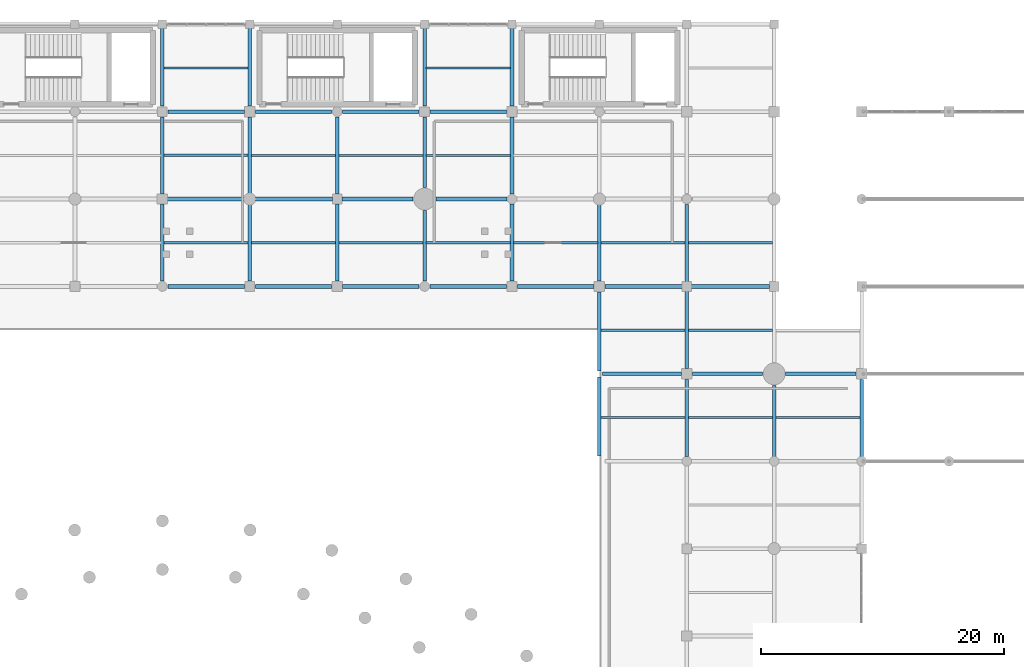
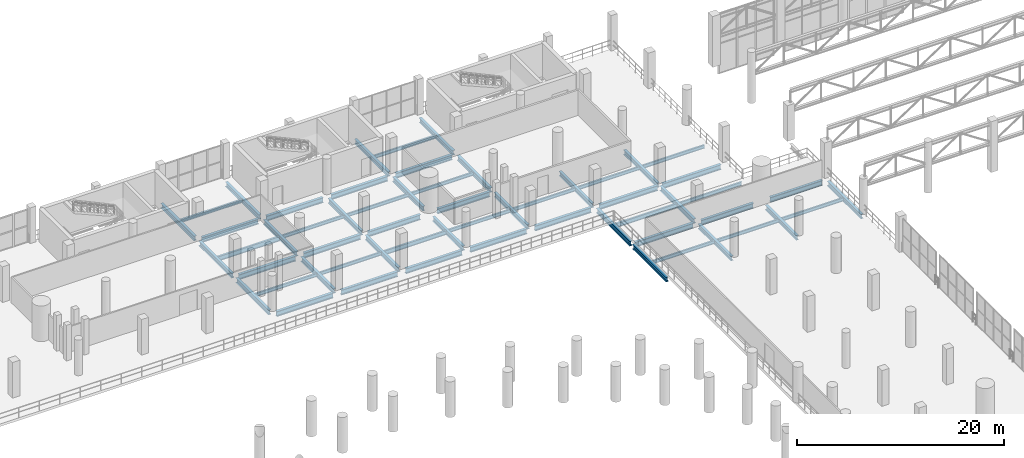
# One storey, part 58 of 153: 58 beams.
"""IFC4 building model written with IfcOpenShell, lengths in metres."""

from ifc_helpers import new_model, si_unit, direction, frame, origin, origin_2d, place, context, subcontext, project, spatial, i_section, extrude, material, material_profile, profile_set, type_object, element, save


model = new_model("IFC4")

# Units and contexts
model_context = context("Model", 3, precision=1e-05, world=origin(), true_north=direction((0.0, 1.0)))
body_context = subcontext(model_context, "Body", "Model", "MODEL_VIEW")
ifc_project = project(units=[si_unit("LENGTHUNIT", "METRE"), si_unit("AREAUNIT", "SQUARE_METRE"), si_unit("VOLUMEUNIT", "CUBIC_METRE"), si_unit("PLANEANGLEUNIT", "RADIAN"), si_unit("MASSUNIT", "GRAM", prefix="KILO")], contexts=[model_context])

# Site, building, storey
site_placement = place(None, origin())
site = spatial("IfcSite", under=ifc_project, at=site_placement, CompositionType="ELEMENT")
building_placement = place(site_placement, origin())
building = spatial("IfcBuilding", under=site, at=building_placement, Name="Qandorah Velis Arena", CompositionType="ELEMENT")
storey_placement = place(building_placement, frame((0.0, 0.0, 5.39990234375)))
storey = spatial("IfcBuildingStorey", under=building, at=storey_placement, Name="L01", CompositionType="ELEMENT", Elevation=5.39990234375)

# Beams
ifc_material = material(Name="Steel S355", Category="steel")
ifc_material_profile_1 = material_profile(ifc_material, i_section(OverallWidth=0.300048828125, OverallDepth=0.550048828125, WebThickness=0.014892578125, FlangeThickness=0.029052734375, FilletRadius=0.027099609375, at=origin_2d()), Name="HEB 550")
ifc_profile_set_1 = profile_set([ifc_material_profile_1], Name="Steel S355")
beam_type_1 = type_object("IfcBeamType", Name="STR-BM-HEB550", PredefinedType="BEAM", material=ifc_profile_set_1)
beam_1_placement = place(storey_placement, frame((64.800048828125, 108.449951171875, -0.635009765625), z_axis=(0.0, 1.0, 0.0), x_axis=(-1.0, 0.0, 0.0)))
element("IfcBeam", 1, at=beam_1_placement, inside=storey, type_object=beam_type_1, Name="Primary floor girder L01 Y-325", PredefinedType="BEAM", context=body_context, shape_type="SweptSolid", body=[
    extrude(i_section(OverallWidth=0.300048828125, OverallDepth=0.550048828125, WebThickness=0.014892578125, FlangeThickness=0.029052734375, FilletRadius=0.027099609375, at=origin_2d()), origin(), (0.0, 0.0, 1.0), 6.35009765625),
])
beam_2_placement = place(storey_placement, frame((64.800048828125, 115.60009765625, -0.635009765625), z_axis=(0.0, 1.0, 0.0), x_axis=(-1.0, 0.0, 0.0)))
element("IfcBeam", 2, at=beam_2_placement, inside=storey, type_object=beam_type_1, Name="Primary floor girder L01 Y-326", PredefinedType="BEAM", context=body_context, shape_type="SweptSolid", body=[
    extrude(i_section(OverallWidth=0.300048828125, OverallDepth=0.550048828125, WebThickness=0.014892578125, FlangeThickness=0.029052734375, FilletRadius=0.027099609375, at=origin_2d()), origin(), (0.0, 0.0, 1.0), 6.349853515625),
])
beam_3_placement = place(storey_placement, frame((64.800048828125, 122.85009765625, -0.635009765625), z_axis=(0.0, 1.0, 0.0), x_axis=(-1.0, 0.0, 0.0)))
element("IfcBeam", 3, at=beam_3_placement, inside=storey, type_object=beam_type_1, Name="Primary floor girder L01 Y-327", PredefinedType="BEAM", context=body_context, shape_type="SweptSolid", body=[
    extrude(i_section(OverallWidth=0.300048828125, OverallDepth=0.550048828125, WebThickness=0.014892578125, FlangeThickness=0.029052734375, FilletRadius=0.027099609375, at=origin_2d()), origin(), (0.0, 0.0, 1.0), 6.449951171875),
])
for number, where, z_axis, x_axis, name in (
    (4, (72.0, 108.449951171875, -0.635009765625), (0.0, 1.0, 0.0), (-1.0, 0.0, 0.0), "Primary floor girder L01 Y-331"),
    (5, (72.0, 115.64990234375, -0.635009765625), (0.0, 1.0, 0.0), (-1.0, 0.0, 0.0), "Primary floor girder L01 Y-332"),
):
    element("IfcBeam", number, at=place(storey_placement, frame(where, z_axis=z_axis, x_axis=x_axis)), inside=storey, type_object=beam_type_1, Name=name, PredefinedType="BEAM", context=body_context, shape_type="SweptSolid", body=[
        extrude(i_section(OverallWidth=0.300048828125, OverallDepth=0.550048828125, WebThickness=0.014892578125, FlangeThickness=0.029052734375, FilletRadius=0.027099609375, at=origin_2d()), origin(), (0.0, 0.0, 1.0), 6.300048828125),
    ])
beam_4_placement = place(storey_placement, frame((72.0, 122.85009765625, -0.635009765625), z_axis=(0.0, 1.0, 0.0), x_axis=(-1.0, 0.0, 0.0)))
element("IfcBeam", 6, at=beam_4_placement, inside=storey, type_object=beam_type_1, Name="Primary floor girder L01 Y-333", PredefinedType="BEAM", context=body_context, shape_type="SweptSolid", body=[
    extrude(i_section(OverallWidth=0.300048828125, OverallDepth=0.550048828125, WebThickness=0.014892578125, FlangeThickness=0.029052734375, FilletRadius=0.027099609375, at=origin_2d()), origin(), (0.0, 0.0, 1.0), 6.449951171875),
])
beam_5_placement = place(storey_placement, frame((79.199951171875, 108.449951171875, -0.635009765625), z_axis=(0.0, 1.0, 0.0), x_axis=(-1.0, 0.0, 0.0)))
element("IfcBeam", 7, at=beam_5_placement, inside=storey, type_object=beam_type_1, Name="Primary floor girder L01 Y-336", PredefinedType="BEAM", context=body_context, shape_type="SweptSolid", body=[
    extrude(i_section(OverallWidth=0.300048828125, OverallDepth=0.550048828125, WebThickness=0.014892578125, FlangeThickness=0.029052734375, FilletRadius=0.027099609375, at=origin_2d()), origin(), (0.0, 0.0, 1.0), 6.35009765625),
])
beam_6_placement = place(storey_placement, frame((79.199951171875, 115.60009765625, -0.635009765625), z_axis=(0.0, 1.0, 0.0), x_axis=(-1.0, 0.0, 0.0)))
element("IfcBeam", 8, at=beam_6_placement, inside=storey, type_object=beam_type_1, Name="Primary floor girder L01 Y-337", PredefinedType="BEAM", context=body_context, shape_type="SweptSolid", body=[
    extrude(i_section(OverallWidth=0.300048828125, OverallDepth=0.550048828125, WebThickness=0.014892578125, FlangeThickness=0.029052734375, FilletRadius=0.027099609375, at=origin_2d()), origin(), (0.0, 0.0, 1.0), 6.349853515625),
])
for number, where, z_axis, x_axis, name in (
    (9, (86.39990234375, 108.449951171875, -0.635009765625), (0.0, 1.0, 0.0), (-1.0, 0.0, 0.0), "Primary floor girder L01 Y-341"),
    (10, (86.39990234375, 116.14990234375, -0.635009765625), (0.0, 1.0, 0.0), (-1.0, 0.0, 0.0), "Primary floor girder L01 Y-342"),
):
    element("IfcBeam", number, at=place(storey_placement, frame(where, z_axis=z_axis, x_axis=x_axis)), inside=storey, type_object=beam_type_1, Name=name, PredefinedType="BEAM", context=body_context, shape_type="SweptSolid", body=[
        extrude(i_section(OverallWidth=0.300048828125, OverallDepth=0.550048828125, WebThickness=0.014892578125, FlangeThickness=0.029052734375, FilletRadius=0.027099609375, at=origin_2d()), origin(), (0.0, 0.0, 1.0), 5.800048828125),
    ])
beam_7_placement = place(storey_placement, frame((86.39990234375, 122.85009765625, -0.635009765625), z_axis=(0.0, 1.0, 0.0), x_axis=(-1.0, 0.0, 0.0)))
element("IfcBeam", 11, at=beam_7_placement, inside=storey, type_object=beam_type_1, Name="Primary floor girder L01 Y-343", PredefinedType="BEAM", context=body_context, shape_type="SweptSolid", body=[
    extrude(i_section(OverallWidth=0.300048828125, OverallDepth=0.550048828125, WebThickness=0.014892578125, FlangeThickness=0.029052734375, FilletRadius=0.027099609375, at=origin_2d()), origin(), (0.0, 0.0, 1.0), 6.449951171875),
])
beam_8_placement = place(storey_placement, frame((93.60009765625, 108.449951171875, -0.635009765625), z_axis=(0.0, 1.0, 0.0), x_axis=(-1.0, 0.0, 0.0)))
element("IfcBeam", 12, at=beam_8_placement, inside=storey, type_object=beam_type_1, Name="Primary floor girder L01 Y-347", PredefinedType="BEAM", context=body_context, shape_type="SweptSolid", body=[
    extrude(i_section(OverallWidth=0.300048828125, OverallDepth=0.550048828125, WebThickness=0.014892578125, FlangeThickness=0.029052734375, FilletRadius=0.027099609375, at=origin_2d()), origin(), (0.0, 0.0, 1.0), 6.35009765625),
])
beam_9_placement = place(storey_placement, frame((93.60009765625, 115.60009765625, -0.635009765625), z_axis=(0.0, 1.0, 0.0), x_axis=(-1.0, 0.0, 0.0)))
element("IfcBeam", 13, at=beam_9_placement, inside=storey, type_object=beam_type_1, Name="Primary floor girder L01 Y-348", PredefinedType="BEAM", context=body_context, shape_type="SweptSolid", body=[
    extrude(i_section(OverallWidth=0.300048828125, OverallDepth=0.550048828125, WebThickness=0.014892578125, FlangeThickness=0.029052734375, FilletRadius=0.027099609375, at=origin_2d()), origin(), (0.0, 0.0, 1.0), 6.349853515625),
])
beam_10_placement = place(storey_placement, frame((93.60009765625, 122.85009765625, -0.635009765625), z_axis=(0.0, 1.0, 0.0), x_axis=(-1.0, 0.0, 0.0)))
element("IfcBeam", 14, at=beam_10_placement, inside=storey, type_object=beam_type_1, Name="Primary floor girder L01 Y-349", PredefinedType="BEAM", context=body_context, shape_type="SweptSolid", body=[
    extrude(i_section(OverallWidth=0.300048828125, OverallDepth=0.550048828125, WebThickness=0.014892578125, FlangeThickness=0.029052734375, FilletRadius=0.027099609375, at=origin_2d()), origin(), (0.0, 0.0, 1.0), 6.449951171875),
])
for number, where, z_axis, x_axis, name in (
    (15, (100.800048828125, 94.050048828125, -0.635009765625), (0.0, 1.0, 0.0), (-1.0, 0.0, 0.0), "Primary floor girder L01 Y-355"),
    (16, (100.800048828125, 101.050048828125, -0.635009765625), (0.0, 1.0, 0.0), (-1.0, 0.0, 0.0), "Primary floor girder L01 Y-356"),
):
    element("IfcBeam", number, at=place(storey_placement, frame(where, z_axis=z_axis, x_axis=x_axis)), inside=storey, type_object=beam_type_1, Name=name, PredefinedType="BEAM", context=body_context, shape_type="SweptSolid", body=[
        extrude(i_section(OverallWidth=0.300048828125, OverallDepth=0.550048828125, WebThickness=0.014892578125, FlangeThickness=0.029052734375, FilletRadius=0.027099609375, at=origin_2d()), origin(), (0.0, 0.0, 1.0), 6.5),
    ])
beam_11_placement = place(storey_placement, frame((100.800048828125, 108.449951171875, -0.635009765625), z_axis=(0.0, 1.0, 0.0), x_axis=(-1.0, 0.0, 0.0)))
element("IfcBeam", 17, at=beam_11_placement, inside=storey, type_object=beam_type_1, Name="Primary floor girder L01 Y-357", PredefinedType="BEAM", context=body_context, shape_type="SweptSolid", body=[
    extrude(i_section(OverallWidth=0.300048828125, OverallDepth=0.550048828125, WebThickness=0.014892578125, FlangeThickness=0.029052734375, FilletRadius=0.027099609375, at=origin_2d()), origin(), (0.0, 0.0, 1.0), 6.300048828125),
])
beam_12_placement = place(storey_placement, frame((108.0, 94.0, -0.635009765625), z_axis=(0.0, 1.0, 0.0), x_axis=(-1.0, 0.0, 0.0)))
element("IfcBeam", 18, at=beam_12_placement, inside=storey, type_object=beam_type_1, Name="Primary floor girder L01 Y-372", PredefinedType="BEAM", context=body_context, shape_type="SweptSolid", body=[
    extrude(i_section(OverallWidth=0.300048828125, OverallDepth=0.550048828125, WebThickness=0.014892578125, FlangeThickness=0.029052734375, FilletRadius=0.027099609375, at=origin_2d()), origin(), (0.0, 0.0, 1.0), 6.35009765625),
])
for number, where, z_axis, x_axis, name in (
    (19, (108.0, 101.25, -0.635009765625), (0.0, 1.0, 0.0), (-1.0, 0.0, 0.0), "Primary floor girder L01 Y-373"),
    (20, (108.0, 108.25, -0.635009765625), (0.0, 1.0, 0.0), (-1.0, 0.0, 0.0), "Primary floor girder L01 Y-374"),
):
    element("IfcBeam", number, at=place(storey_placement, frame(where, z_axis=z_axis, x_axis=x_axis)), inside=storey, type_object=beam_type_1, Name=name, PredefinedType="BEAM", context=body_context, shape_type="SweptSolid", body=[
        extrude(i_section(OverallWidth=0.300048828125, OverallDepth=0.550048828125, WebThickness=0.014892578125, FlangeThickness=0.029052734375, FilletRadius=0.027099609375, at=origin_2d()), origin(), (0.0, 0.0, 1.0), 6.5),
    ])
beam_13_placement = place(storey_placement, frame((115.199951171875, 93.85009765625, -0.635009765625), z_axis=(0.0, 1.0, 0.0), x_axis=(-1.0, 0.0, 0.0)))
element("IfcBeam", 21, at=beam_13_placement, inside=storey, type_object=beam_type_1, Name="Primary floor girder L01 Y-389", PredefinedType="BEAM", context=body_context, shape_type="SweptSolid", body=[
    extrude(i_section(OverallWidth=0.300048828125, OverallDepth=0.550048828125, WebThickness=0.014892578125, FlangeThickness=0.029052734375, FilletRadius=0.027099609375, at=origin_2d()), origin(), (0.0, 0.0, 1.0), 6.0),
])
beam_14_placement = place(storey_placement, frame((122.39990234375, 93.85009765625, -0.635009765625), z_axis=(0.0, 1.0, 0.0), x_axis=(-1.0, 0.0, 0.0)))
element("IfcBeam", 22, at=beam_14_placement, inside=storey, type_object=beam_type_1, Name="Primary floor girder L01 Y-399", PredefinedType="BEAM", context=body_context, shape_type="SweptSolid", body=[
    extrude(i_section(OverallWidth=0.300048828125, OverallDepth=0.550048828125, WebThickness=0.014892578125, FlangeThickness=0.029052734375, FilletRadius=0.027099609375, at=origin_2d()), origin(), (0.0, 0.0, 1.0), 6.5),
])
ifc_material_profile_2 = material_profile(ifc_material, i_section(OverallWidth=0.300048828125, OverallDepth=0.60009765625, WebThickness=0.015380859375, FlangeThickness=0.030029296875, FilletRadius=0.027099609375, at=origin_2d()), Name="HEB 600")
ifc_profile_set_2 = profile_set([ifc_material_profile_2], Name="Steel S355")
beam_type_2 = type_object("IfcBeamType", Name="STR-BM-HEB600", PredefinedType="BEAM", material=ifc_profile_set_2)
beam_15_placement = place(storey_placement, frame((101.050048828125, 100.800048828125, -0.659912109375), z_axis=(1.0, 0.0, 0.0), x_axis=(0.0, 1.0, 0.0)))
element("IfcBeam", 23, at=beam_15_placement, inside=storey, type_object=beam_type_2, Name="Primary floor girder L01 X-149", PredefinedType="BEAM", context=body_context, shape_type="SweptSolid", body=[
    extrude(i_section(OverallWidth=0.300048828125, OverallDepth=0.60009765625, WebThickness=0.015380859375, FlangeThickness=0.030029296875, FilletRadius=0.027099609375, at=origin_2d()), origin(), (0.0, 0.0, 1.0), 6.5),
])
for number, where, z_axis, x_axis, name in (
    (24, (108.449951171875, 100.800048828125, -0.659912109375), (1.0, 0.0, 0.0), (0.0, 1.0, 0.0), "Primary floor girder L01 X-150"),
    (25, (116.14990234375, 100.800048828125, -0.659912109375), (1.0, 0.0, 0.0), (0.0, 1.0, 0.0), "Primary floor girder L01 X-151"),
):
    element("IfcBeam", number, at=place(storey_placement, frame(where, z_axis=z_axis, x_axis=x_axis)), inside=storey, type_object=beam_type_2, Name=name, PredefinedType="BEAM", context=body_context, shape_type="SweptSolid", body=[
        extrude(i_section(OverallWidth=0.300048828125, OverallDepth=0.60009765625, WebThickness=0.015380859375, FlangeThickness=0.030029296875, FilletRadius=0.027099609375, at=origin_2d()), origin(), (0.0, 0.0, 1.0), 5.800048828125),
    ])
for number, where, z_axis, x_axis, name in (
    (26, (65.25, 108.0, -0.659912109375), (1.0, 0.0, 0.0), (0.0, 1.0, 0.0), "Primary floor girder L01 X-162"),
    (27, (72.449951171875, 108.0, -0.659912109375), (1.0, 0.0, 0.0), (0.0, 1.0, 0.0), "Primary floor girder L01 X-163"),
    (28, (79.64990234375, 108.0, -0.659912109375), (1.0, 0.0, 0.0), (0.0, 1.0, 0.0), "Primary floor girder L01 X-164"),
):
    element("IfcBeam", number, at=place(storey_placement, frame(where, z_axis=z_axis, x_axis=x_axis)), inside=storey, type_object=beam_type_2, Name=name, PredefinedType="BEAM", context=body_context, shape_type="SweptSolid", body=[
        extrude(i_section(OverallWidth=0.300048828125, OverallDepth=0.60009765625, WebThickness=0.015380859375, FlangeThickness=0.030029296875, FilletRadius=0.027099609375, at=origin_2d()), origin(), (0.0, 0.0, 1.0), 6.300048828125),
    ])
beam_16_placement = place(storey_placement, frame((86.85009765625, 108.0, -0.659912109375), z_axis=(1.0, 0.0, 0.0), x_axis=(0.0, 1.0, 0.0)))
element("IfcBeam", 29, at=beam_16_placement, inside=storey, type_object=beam_type_2, Name="Primary floor girder L01 X-165", PredefinedType="BEAM", context=body_context, shape_type="SweptSolid", body=[
    extrude(i_section(OverallWidth=0.300048828125, OverallDepth=0.60009765625, WebThickness=0.015380859375, FlangeThickness=0.030029296875, FilletRadius=0.027099609375, at=origin_2d()), origin(), (0.0, 0.0, 1.0), 6.2998046875),
])
beam_17_placement = place(storey_placement, frame((94.050048828125, 108.0, -0.659912109375), z_axis=(1.0, 0.0, 0.0), x_axis=(0.0, 1.0, 0.0)))
element("IfcBeam", 30, at=beam_17_placement, inside=storey, type_object=beam_type_2, Name="Primary floor girder L01 X-166", PredefinedType="BEAM", context=body_context, shape_type="SweptSolid", body=[
    extrude(i_section(OverallWidth=0.300048828125, OverallDepth=0.60009765625, WebThickness=0.015380859375, FlangeThickness=0.030029296875, FilletRadius=0.027099609375, at=origin_2d()), origin(), (0.0, 0.0, 1.0), 6.300048828125),
])
beam_18_placement = place(storey_placement, frame((101.25, 108.0, -0.659912109375), z_axis=(1.0, 0.0, 0.0), x_axis=(0.0, 1.0, 0.0)))
element("IfcBeam", 31, at=beam_18_placement, inside=storey, type_object=beam_type_2, Name="Primary floor girder L01 X-167", PredefinedType="BEAM", context=body_context, shape_type="SweptSolid", body=[
    extrude(i_section(OverallWidth=0.300048828125, OverallDepth=0.60009765625, WebThickness=0.015380859375, FlangeThickness=0.030029296875, FilletRadius=0.027099609375, at=origin_2d()), origin(), (0.0, 0.0, 1.0), 6.5),
])
beam_19_placement = place(storey_placement, frame((108.25, 108.0, -0.659912109375), z_axis=(1.0, 0.0, 0.0), x_axis=(0.0, 1.0, 0.0)))
element("IfcBeam", 32, at=beam_19_placement, inside=storey, type_object=beam_type_2, Name="Primary floor girder L01 X-168", PredefinedType="BEAM", context=body_context, shape_type="SweptSolid", body=[
    extrude(i_section(OverallWidth=0.300048828125, OverallDepth=0.60009765625, WebThickness=0.015380859375, FlangeThickness=0.030029296875, FilletRadius=0.027099609375, at=origin_2d()), origin(), (0.0, 0.0, 1.0), 6.550048828125),
])
for number, where, z_axis, x_axis, name in (
    (33, (65.199951171875, 115.199951171875, -0.659912109375), (1.0, 0.0, 0.0), (0.0, 1.0, 0.0), "Primary floor girder L01 X-179"),
    (34, (72.449951171875, 115.199951171875, -0.659912109375), (1.0, 0.0, 0.0), (0.0, 1.0, 0.0), "Primary floor girder L01 X-180"),
):
    element("IfcBeam", number, at=place(storey_placement, frame(where, z_axis=z_axis, x_axis=x_axis)), inside=storey, type_object=beam_type_2, Name=name, PredefinedType="BEAM", context=body_context, shape_type="SweptSolid", body=[
        extrude(i_section(OverallWidth=0.300048828125, OverallDepth=0.60009765625, WebThickness=0.015380859375, FlangeThickness=0.030029296875, FilletRadius=0.027099609375, at=origin_2d()), origin(), (0.0, 0.0, 1.0), 6.35009765625),
    ])
for number, where, z_axis, x_axis, name in (
    (35, (79.60009765625, 115.199951171875, -0.659912109375), (1.0, 0.0, 0.0), (0.0, 1.0, 0.0), "Primary floor girder L01 X-181"),
    (36, (87.35009765625, 115.199951171875, -0.659912109375), (1.0, 0.0, 0.0), (0.0, 1.0, 0.0), "Primary floor girder L01 X-182"),
):
    element("IfcBeam", number, at=place(storey_placement, frame(where, z_axis=z_axis, x_axis=x_axis)), inside=storey, type_object=beam_type_2, Name=name, PredefinedType="BEAM", context=body_context, shape_type="SweptSolid", body=[
        extrude(i_section(OverallWidth=0.300048828125, OverallDepth=0.60009765625, WebThickness=0.015380859375, FlangeThickness=0.030029296875, FilletRadius=0.027099609375, at=origin_2d()), origin(), (0.0, 0.0, 1.0), 5.849853515625),
    ])
for number, where, z_axis, x_axis, name in (
    (37, (65.25, 122.39990234375, -0.659912109375), (1.0, 0.0, 0.0), (0.0, 1.0, 0.0), "Primary floor girder L01 X-196"),
    (38, (72.449951171875, 122.39990234375, -0.659912109375), (1.0, 0.0, 0.0), (0.0, 1.0, 0.0), "Primary floor girder L01 X-197"),
    (39, (79.64990234375, 122.39990234375, -0.659912109375), (1.0, 0.0, 0.0), (0.0, 1.0, 0.0), "Primary floor girder L01 X-198"),
):
    element("IfcBeam", number, at=place(storey_placement, frame(where, z_axis=z_axis, x_axis=x_axis)), inside=storey, type_object=beam_type_2, Name=name, PredefinedType="BEAM", context=body_context, shape_type="SweptSolid", body=[
        extrude(i_section(OverallWidth=0.300048828125, OverallDepth=0.60009765625, WebThickness=0.015380859375, FlangeThickness=0.030029296875, FilletRadius=0.027099609375, at=origin_2d()), origin(), (0.0, 0.0, 1.0), 6.300048828125),
    ])
beam_20_placement = place(storey_placement, frame((86.85009765625, 122.39990234375, -0.659912109375), z_axis=(1.0, 0.0, 0.0), x_axis=(0.0, 1.0, 0.0)))
element("IfcBeam", 40, at=beam_20_placement, inside=storey, type_object=beam_type_2, Name="Primary floor girder L01 X-199", PredefinedType="BEAM", context=body_context, shape_type="SweptSolid", body=[
    extrude(i_section(OverallWidth=0.300048828125, OverallDepth=0.60009765625, WebThickness=0.015380859375, FlangeThickness=0.030029296875, FilletRadius=0.027099609375, at=origin_2d()), origin(), (0.0, 0.0, 1.0), 6.2998046875),
])
ifc_material_profile_3 = material_profile(ifc_material, i_section(OverallWidth=0.179931640625, OverallDepth=0.39990234375, WebThickness=0.008544921875, FlangeThickness=0.013427734375, FilletRadius=0.02099609375, at=origin_2d()), Name="IPE 400")
ifc_profile_set_3 = profile_set([ifc_material_profile_3], Name="Steel S355")
beam_type_3 = type_object("IfcBeamType", Name="STR-JST-IPE400", PredefinedType="JOIST", material=ifc_profile_set_3)
for number, where, z_axis, x_axis, name in (
    (41, (64.93505859375, 111.60009765625, -0.559814453125), (1.0, 0.0, 0.0), (0.0, 1.0, 0.0), "Secondary floor joist L01-086"),
    (42, (64.93505859375, 126.0, -0.559814453125), (1.0, 0.0, 0.0), (0.0, 1.0, 0.0), "Secondary floor joist L01-088"),
    (43, (72.135009765625, 111.60009765625, -0.559814453125), (1.0, 0.0, 0.0), (0.0, 1.0, 0.0), "Secondary floor joist L01-091"),
    (44, (72.135009765625, 118.800048828125, -0.559814453125), (1.0, 0.0, 0.0), (0.0, 1.0, 0.0), "Secondary floor joist L01-092"),
    (45, (79.3349609375, 118.800048828125, -0.559814453125), (1.0, 0.0, 0.0), (0.0, 1.0, 0.0), "Secondary floor joist L01-096"),
):
    element("IfcBeam", number, at=place(storey_placement, frame(where, z_axis=z_axis, x_axis=x_axis)), inside=storey, type_object=beam_type_3, Name=name, PredefinedType="JOIST", context=body_context, shape_type="SweptSolid", body=[
        extrude(i_section(OverallWidth=0.179931640625, OverallDepth=0.39990234375, WebThickness=0.008544921875, FlangeThickness=0.013427734375, FilletRadius=0.02099609375, at=origin_2d()), origin(), (0.0, 0.0, 1.0), 6.929931640625),
    ])
for number, where, z_axis, x_axis, name in (
    (46, (86.534912109375, 111.60009765625, -0.559814453125), (1.0, 0.0, 0.0), (0.0, 1.0, 0.0), "Secondary floor joist L01-100"),
    (47, (86.534912109375, 118.800048828125, -0.559814453125), (1.0, 0.0, 0.0), (0.0, 1.0, 0.0), "Secondary floor joist L01-101"),
    (48, (86.534912109375, 126.0, -0.559814453125), (1.0, 0.0, 0.0), (0.0, 1.0, 0.0), "Secondary floor joist L01-102"),
):
    element("IfcBeam", number, at=place(storey_placement, frame(where, z_axis=z_axis, x_axis=x_axis)), inside=storey, type_object=beam_type_3, Name=name, PredefinedType="JOIST", context=body_context, shape_type="SweptSolid", body=[
        extrude(i_section(OverallWidth=0.179931640625, OverallDepth=0.39990234375, WebThickness=0.008544921875, FlangeThickness=0.013427734375, FilletRadius=0.02099609375, at=origin_2d()), origin(), (0.0, 0.0, 1.0), 6.93017578125),
    ])
for number, where, z_axis, x_axis, name in (
    (49, (93.735107421875, 111.60009765625, -0.559814453125), (1.0, 0.0, 0.0), (0.0, 1.0, 0.0), "Secondary floor joist L01-106"),
    (50, (100.93505859375, 97.199951171875, -0.559814453125), (1.0, 0.0, 0.0), (0.0, 1.0, 0.0), "Secondary floor joist L01-113"),
    (51, (100.93505859375, 111.60009765625, -0.559814453125), (1.0, 0.0, 0.0), (0.0, 1.0, 0.0), "Secondary floor joist L01-115"),
    (52, (108.135009765625, 97.199951171875, -0.559814453125), (1.0, 0.0, 0.0), (0.0, 1.0, 0.0), "Secondary floor joist L01-128"),
    (53, (108.135009765625, 104.39990234375, -0.559814453125), (1.0, 0.0, 0.0), (0.0, 1.0, 0.0), "Secondary floor joist L01-129"),
    (54, (108.135009765625, 111.60009765625, -0.559814453125), (1.0, 0.0, 0.0), (0.0, 1.0, 0.0), "Secondary floor joist L01-130"),
    (55, (115.3349609375, 97.199951171875, -0.559814453125), (1.0, 0.0, 0.0), (0.0, 1.0, 0.0), "Secondary floor joist L01-136"),
):
    element("IfcBeam", number, at=place(storey_placement, frame(where, z_axis=z_axis, x_axis=x_axis)), inside=storey, type_object=beam_type_3, Name=name, PredefinedType="JOIST", context=body_context, shape_type="SweptSolid", body=[
        extrude(i_section(OverallWidth=0.179931640625, OverallDepth=0.39990234375, WebThickness=0.008544921875, FlangeThickness=0.013427734375, FilletRadius=0.02099609375, at=origin_2d()), origin(), (0.0, 0.0, 1.0), 6.929931640625),
    ])
ifc_material_profile_4 = material_profile(ifc_material, i_section(OverallWidth=0.199951171875, OverallDepth=0.5, WebThickness=0.01025390625, FlangeThickness=0.01611328125, FilletRadius=0.02099609375, at=origin_2d()), Name="IPE 500")
ifc_profile_set_4 = profile_set([ifc_material_profile_4], Name="Steel S355")
beam_type_4 = type_object("IfcBeamType", Name="STR-JST-IPE500", PredefinedType="JOIST", material=ifc_profile_set_4)
for number, where, z_axis, x_axis, name in (
    (56, (79.3349609375, 111.60009765625, -0.60986328125), (1.0, 0.0, 0.0), (0.0, 1.0, 0.0), "Secondary floor joist L01-095"),
    (57, (100.93505859375, 104.39990234375, -0.60986328125), (1.0, 0.0, 0.0), (0.0, 1.0, 0.0), "Secondary floor joist L01-114"),
):
    element("IfcBeam", number, at=place(storey_placement, frame(where, z_axis=z_axis, x_axis=x_axis)), inside=storey, type_object=beam_type_4, Name=name, PredefinedType="JOIST", context=body_context, shape_type="SweptSolid", body=[
        extrude(i_section(OverallWidth=0.199951171875, OverallDepth=0.5, WebThickness=0.01025390625, FlangeThickness=0.01611328125, FilletRadius=0.02099609375, at=origin_2d()), origin(), (0.0, 0.0, 1.0), 6.929931640625),
    ])
ifc_material_profile_5 = material_profile(ifc_material, i_section(OverallWidth=0.2099609375, OverallDepth=0.550048828125, WebThickness=0.010986328125, FlangeThickness=0.01708984375, FilletRadius=0.02392578125, at=origin_2d()), Name="IPE 550")
ifc_profile_set_5 = profile_set([ifc_material_profile_5], Name="Steel S355")
beam_type_5 = type_object("IfcBeamType", Name="STR-JST-IPE550", PredefinedType="JOIST", material=ifc_profile_set_5)
beam_21_placement = place(storey_placement, frame((64.93505859375, 118.800048828125, -0.635009765625), z_axis=(1.0, 0.0, 0.0), x_axis=(0.0, 1.0, 0.0)))
element("IfcBeam", 58, at=beam_21_placement, inside=storey, type_object=beam_type_5, Name="Secondary floor joist L01-087", PredefinedType="JOIST", context=body_context, shape_type="SweptSolid", body=[
    extrude(i_section(OverallWidth=0.2099609375, OverallDepth=0.550048828125, WebThickness=0.010986328125, FlangeThickness=0.01708984375, FilletRadius=0.02392578125, at=origin_2d()), origin(), (0.0, 0.0, 1.0), 6.929931640625),
])

save(model, "model.ifc")
